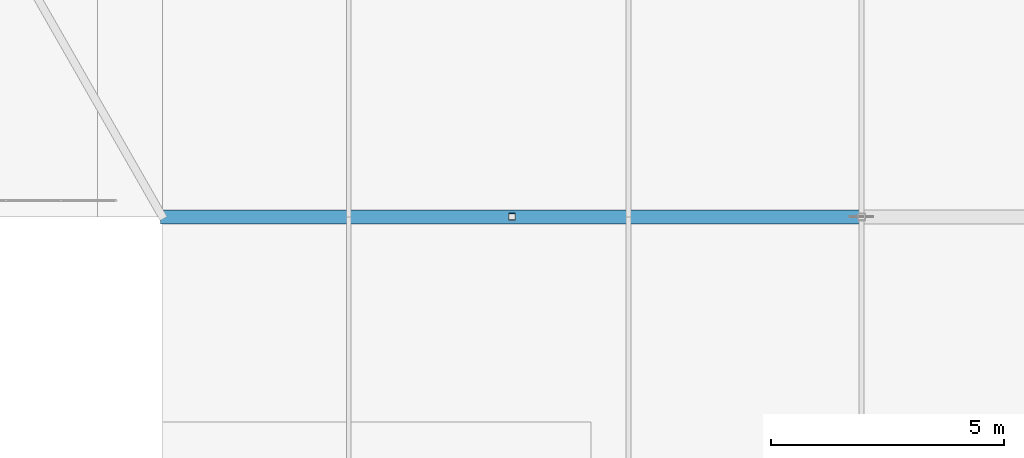
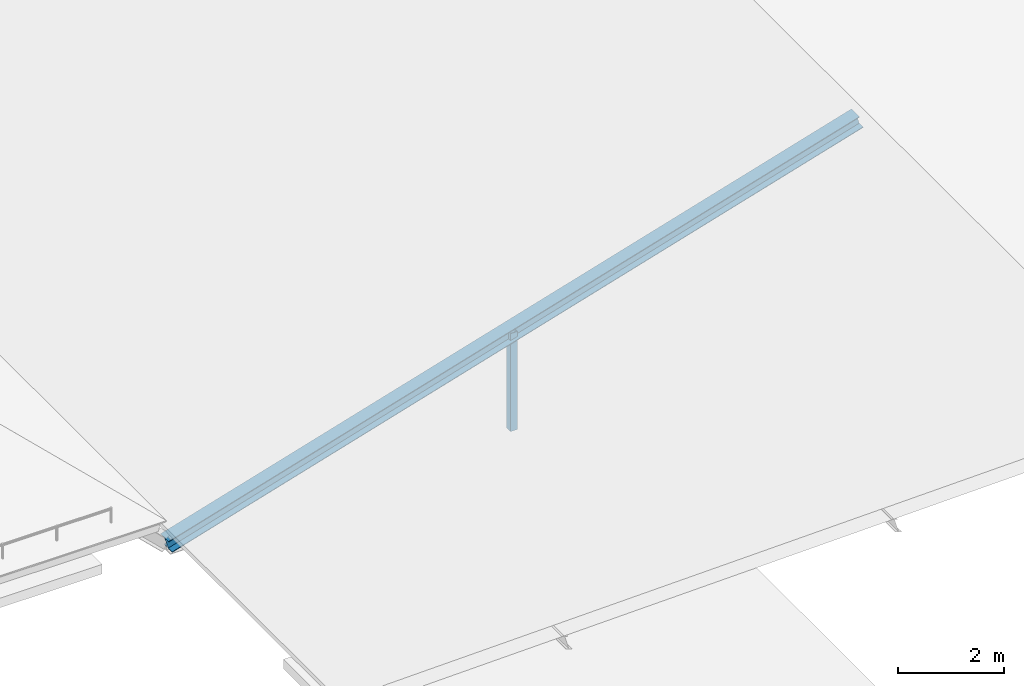
# One storey, part 10 of 204: 2 members.
"""IFC4 building model written with IfcOpenShell, lengths in metres."""

from ifc_helpers import new_model, si_unit, direction, frame, origin, origin_2d, place, context, subcontext, project, spatial, hollow_rectangle, i_section, extrude, material, material_profile, profile_set, type_object, element, save


model = new_model("IFC4")

# Units and contexts
model_context = context("Model", 3, precision=1e-05, world=origin(), true_north=direction((0.0, 1.0)))
body_context = subcontext(model_context, "Body", "Model", "MODEL_VIEW")
ifc_project = project(units=[si_unit("LENGTHUNIT", "METRE"), si_unit("AREAUNIT", "SQUARE_METRE"), si_unit("VOLUMEUNIT", "CUBIC_METRE"), si_unit("PLANEANGLEUNIT", "RADIAN"), si_unit("MASSUNIT", "GRAM", prefix="KILO")], contexts=[model_context])

# Site, building, storey
site_placement = place(None, origin())
site = spatial("IfcSite", under=ifc_project, at=site_placement, CompositionType="ELEMENT")
building_placement = place(site_placement, origin())
building = spatial("IfcBuilding", under=site, at=building_placement, Name="Zilviju Railside Exhibition Hall", CompositionType="ELEMENT")
storey_placement = place(building_placement, frame((0.0, 0.0, 21.0)))
storey = spatial("IfcBuildingStorey", under=building, at=storey_placement, Name="RF", CompositionType="ELEMENT", Elevation=21.0)

# Members
ifc_material = material(Name="Steel S355J2", Category="steel")
ifc_material_profile_1 = material_profile(ifc_material, hollow_rectangle(XDim=0.14990234375, YDim=0.14990234375, WallThickness=0.008056640625, at=origin_2d()), Name="SHS 150x150x8.0")
ifc_profile_set_1 = profile_set([ifc_material_profile_1], Name="Steel S355J2")
member_type_1 = type_object("IfcMemberType", Name="TR-POST-SHS150", PredefinedType="POST", material=ifc_profile_set_1)
member_1_placement = place(storey_placement, frame((55.5, 36.0, -8.39990234375), z_axis=(0.0, 0.0, 1.0), x_axis=(1.0, 0.0, 0.0)))
element("IfcMember", 1, at=member_1_placement, inside=storey, type_object=member_type_1, Name="Concourse Saddle Queen Post Y=36.0", PredefinedType="POST", context=body_context, shape_type="SweptSolid", body=[
    extrude(hollow_rectangle(XDim=0.14990234375, YDim=0.14990234375, WallThickness=0.008056640625, at=origin_2d()), origin(), (0.0, 0.0, 1.0), 2.25),
])
ifc_material_profile_2 = material_profile(ifc_material, i_section(OverallWidth=0.300048828125, OverallDepth=0.2900390625, WebThickness=0.008544921875, FlangeThickness=0.013916015625, at=origin_2d()), Name="HEA 300")
ifc_profile_set_2 = profile_set([ifc_material_profile_2], Name="Steel S355J2")
member_type_2 = type_object("IfcMemberType", Name="TR-RAF-HEA300", PredefinedType="RAFTER", material=ifc_profile_set_2)
member_2_placement = place(storey_placement, frame((48.0, 36.0, -8.39990234375), z_axis=(0.957826285221, 0.0, 0.287347885566), x_axis=(0.0, 1.0, 0.0)))
element("IfcMember", 2, at=member_2_placement, inside=storey, type_object=member_type_2, Name="Concourse Saddle West Rafter Y=36.0", PredefinedType="RAFTER", context=body_context, shape_type="SweptSolid", body=[
    extrude(i_section(OverallWidth=0.300048828125, OverallDepth=0.2900390625, WebThickness=0.008544921875, FlangeThickness=0.013916015625, at=origin_2d()), origin(), (0.0, 0.0, 1.0), 15.660400390625),
])

save(model, "model.ifc")
